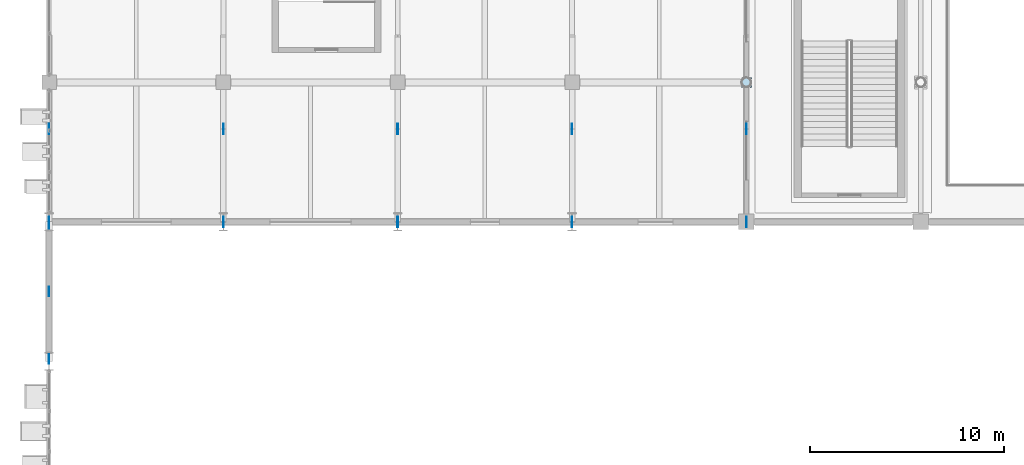
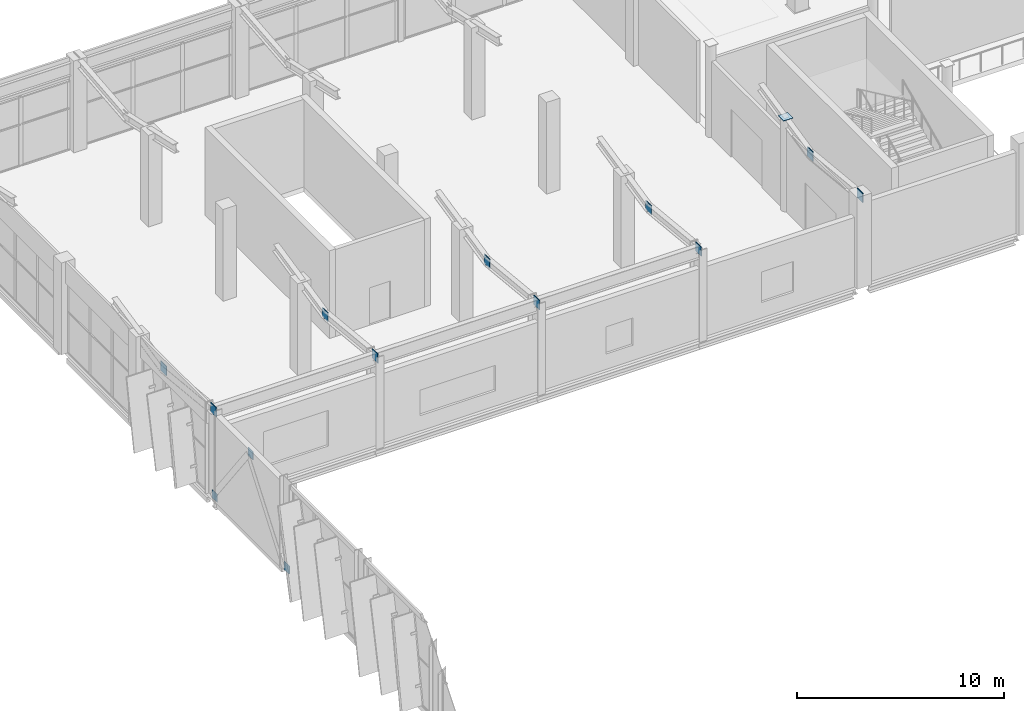
# One storey, part 124 of 189: 14 plates.
"""IFC4 building model written with IfcOpenShell, lengths in metres."""

from ifc_helpers import new_model, si_unit, direction, frame, origin, origin_2d, place, context, subcontext, project, spatial, rectangle, extrude, material, layer, layer_set, type_object, element, save


model = new_model("IFC4")

# Units and contexts
model_context = context("Model", 3, precision=1e-05, world=origin(), true_north=direction((0.0, 1.0)))
body_context = subcontext(model_context, "Body", "Model", "MODEL_VIEW")
ifc_project = project(units=[si_unit("LENGTHUNIT", "METRE"), si_unit("AREAUNIT", "SQUARE_METRE"), si_unit("VOLUMEUNIT", "CUBIC_METRE"), si_unit("PLANEANGLEUNIT", "RADIAN"), si_unit("MASSUNIT", "GRAM", prefix="KILO")], contexts=[model_context])

# Site, building, storey
site_placement = place(None, origin())
site = spatial("IfcSite", under=ifc_project, at=site_placement, CompositionType="ELEMENT")
building_placement = place(site_placement, origin())
building = spatial("IfcBuilding", under=site, at=building_placement, Name="Celestram Park Convention Centre", CompositionType="ELEMENT")
storey_placement = place(building_placement, frame((0.0, 0.0, 5.39990234375)))
storey = spatial("IfcBuildingStorey", under=building, at=storey_placement, Name="L01", CompositionType="ELEMENT", Elevation=5.39990234375)

# Plates
ifc_material = material(Name="Steel ASTM A572 Grade 50", Category="steel")
ifc_layer_1 = layer(ifc_material, 0.02490234375)
ifc_layer_set_1 = layer_set([ifc_layer_1], Name="Steel ASTM A572 Grade 50")
plate_type_1 = type_object("IfcPlateType", Name="STR-PLT-EC500", PredefinedType="USERDEFINED", material=ifc_layer_set_1)
plate_placement = place(storey_placement, frame((36.0, 115.199951171875, 5.399658203125), z_axis=(0.0, 0.0, 1.0), x_axis=(1.0, 0.0, 0.0)))
element("IfcPlate", 1, at=plate_placement, inside=storey, type_object=plate_type_1, Name="HSS column end closure cap plate EC-L01-007", ObjectType="GUSSET_PLATE", PredefinedType="USERDEFINED", context=body_context, shape_type="SweptSolid", body=[
    extrude(rectangle(XDim=0.530029296875, YDim=0.530029296875, at=origin_2d()), origin(), (0.0, 0.0, 1.0), 0.02490234375),
])
ifc_layer_2 = layer(ifc_material, 0.031982421875)
ifc_layer_set_2 = layer_set([ifc_layer_2], Name="Steel ASTM A572 Grade 50")
plate_type_2 = type_object("IfcPlateType", Name="STR-PLT-GP32", PredefinedType="USERDEFINED", material=ifc_layer_set_2)
for number, where, z_axis, x_axis, name in (
    (2, (0.0, 104.39990234375, 4.510009765625), (0.0, 0.0, 1.0), (0.0, 1.0, 0.0), "Chevron brace apex gusset GP-L01-517"),
    (3, (0.0, 100.919921875, -0.08984375), (0.0, 0.0, 1.0), (0.0, 1.0, 0.0), "Chevron brace base gusset GP-L01-518"),
    (4, (0.0, 107.8798828125, -0.08984375), (0.0, 0.0, 1.0), (0.0, 1.0, 0.0), "Chevron brace base gusset GP-L01-519"),
):
    element("IfcPlate", number, at=place(storey_placement, frame(where, z_axis=z_axis, x_axis=x_axis)), inside=storey, type_object=plate_type_2, Name=name, ObjectType="GUSSET_PLATE", PredefinedType="USERDEFINED", context=body_context, shape_type="SweptSolid", body=[
        extrude(rectangle(XDim=0.47998046875, YDim=0.031982421875, at=origin_2d()), origin(), (0.0, 0.0, 1.0), 0.47998046875),
    ])
ifc_layer_3 = layer(ifc_material, 0.0400390625)
ifc_layer_set_3 = layer_set([ifc_layer_3], Name="Steel ASTM A572 Grade 50")
plate_type_3 = type_object("IfcPlateType", Name="STR-PLT-GP40", PredefinedType="USERDEFINED", material=ifc_layer_set_3)
for number, where, z_axis, x_axis, name in (
    (5, (0.0, 108.0, 4.88916015625), (0.0, 0.0, 1.0), (0.0, 1.0, 0.0), "WPV truss node gusset plate"),
    (6, (0.0, 112.800048828125, 4.40576171875), (0.0, 0.0, 1.0), (0.0, 1.0, 0.0), "WPV truss node gusset plate"),
    (7, (9.0, 108.0, 4.88916015625), (0.0, 0.0, 1.0), (0.0, 1.0, 0.0), "WPV truss node gusset plate"),
    (8, (9.0, 112.800048828125, 4.40576171875), (0.0, 0.0, 1.0), (0.0, 1.0, 0.0), "WPV truss node gusset plate"),
    (9, (18.0, 108.0, 4.88916015625), (0.0, 0.0, 1.0), (0.0, 1.0, 0.0), "WPV truss node gusset plate"),
    (10, (18.0, 112.800048828125, 4.40576171875), (0.0, 0.0, 1.0), (0.0, 1.0, 0.0), "WPV truss node gusset plate"),
    (11, (27.0, 108.0, 4.88916015625), (0.0, 0.0, 1.0), (0.0, 1.0, 0.0), "WPV truss node gusset plate"),
    (12, (27.0, 112.800048828125, 4.40576171875), (0.0, 0.0, 1.0), (0.0, 1.0, 0.0), "WPV truss node gusset plate"),
    (13, (36.0, 108.0, 4.88916015625), (0.0, 0.0, 1.0), (0.0, 1.0, 0.0), "WPV truss node gusset plate"),
    (14, (36.0, 112.800048828125, 4.40576171875), (0.0, 0.0, 1.0), (0.0, 1.0, 0.0), "WPV truss node gusset plate"),
):
    element("IfcPlate", number, at=place(storey_placement, frame(where, z_axis=z_axis, x_axis=x_axis)), inside=storey, type_object=plate_type_3, Name=name, ObjectType="GUSSET_PLATE", PredefinedType="USERDEFINED", context=body_context, shape_type="SweptSolid", body=[
        extrude(rectangle(XDim=0.550048828125, YDim=0.0400390625, at=origin_2d()), origin(), (0.0, 0.0, 1.0), 0.550048828125),
    ])

save(model, "model.ifc")
